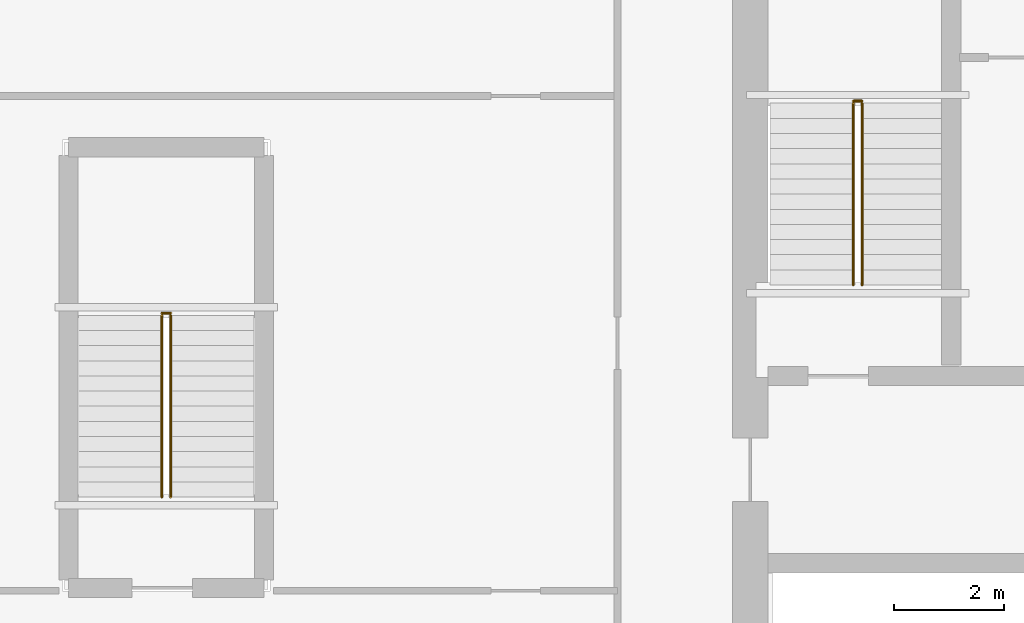
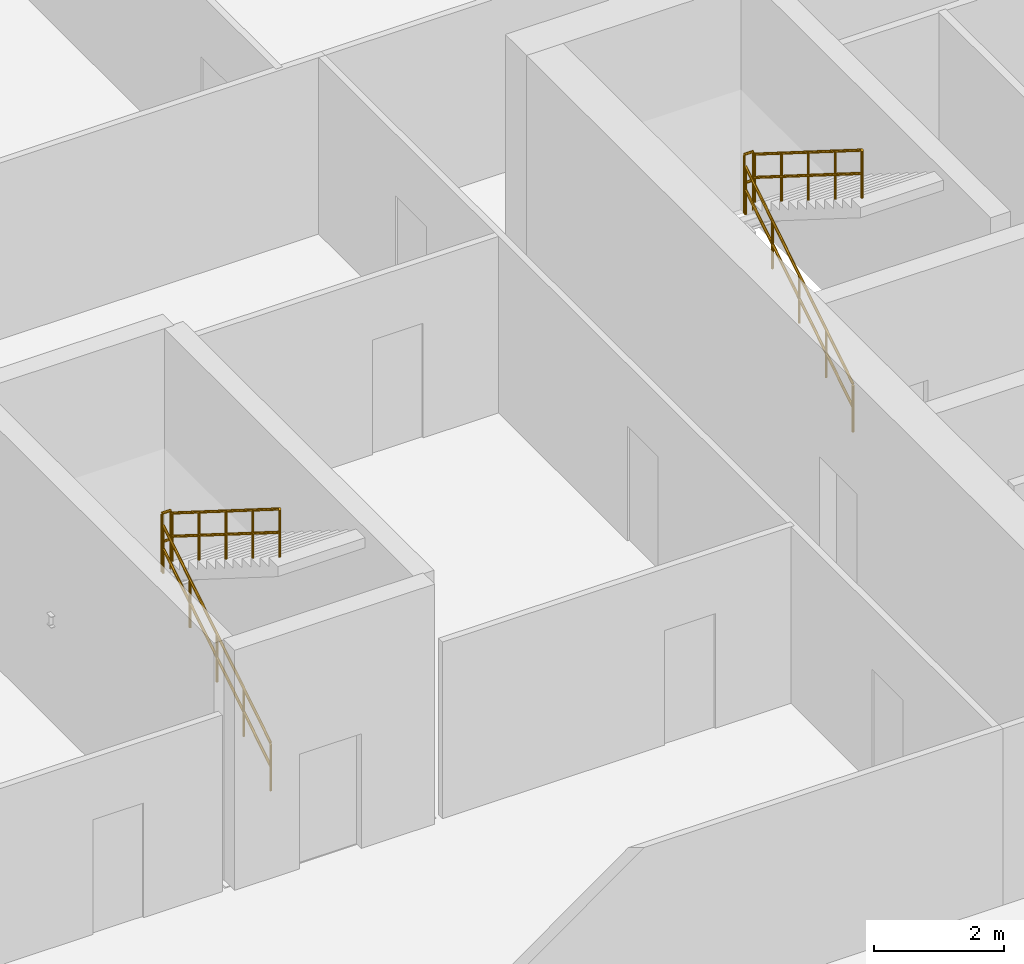
# One storey, part 29 of 31: 6 railings.
"""IFC4 building model written with IfcOpenShell, lengths in metres."""

from ifc_helpers import new_model, si_unit, direction, frame, origin, origin_2d, place, context, subcontext, project, spatial, circle, extrude, material, type_object, element, save


model = new_model("IFC4")

# Units and contexts
model_context = context("Model", 3, precision=1e-05, world=origin(), true_north=direction((0.0, 1.0)))
body_context = subcontext(model_context, "Body", "Model", "MODEL_VIEW")
ifc_project = project(units=[si_unit("LENGTHUNIT", "METRE"), si_unit("AREAUNIT", "SQUARE_METRE"), si_unit("VOLUMEUNIT", "CUBIC_METRE"), si_unit("PLANEANGLEUNIT", "RADIAN"), si_unit("MASSUNIT", "GRAM", prefix="KILO")], contexts=[model_context])

# Site, building, storey
site_placement = place(None, origin())
site = spatial("IfcSite", under=ifc_project, at=site_placement, CompositionType="ELEMENT")
building_placement = place(site_placement, origin())
building = spatial("IfcBuilding", under=site, at=building_placement, Name="Caelvoria Tower", CompositionType="ELEMENT")
storey_placement = place(building_placement, frame((0.0, 0.0, 9.5)))
storey = spatial("IfcBuildingStorey", under=building, at=storey_placement, Name="L02", CompositionType="ELEMENT", Elevation=9.5)

# Railings
ifc_material_1 = material(Name="Brushed Stainless Steel Tube", Category="steel")
railing_type_1 = type_object("IfcRailingType", Name="Stair Tubular Stainless Handrail 920", PredefinedType="HANDRAIL", material=ifc_material_1)
railing_1_placement = place(storey_placement, frame((38.8701171875, 33.449951171875, 0.173095703125)))
element("IfcRailing", 1, at=railing_1_placement, inside=storey, type_object=railing_type_1, Name="ST-01 Flight 1 Handrail L02", PredefinedType="HANDRAIL", context=body_context, shape_type="SweptSolid", body=[
    extrude(circle(Radius=0.02392578125, at=origin_2d()), frame((0.0, 0.0, 0.89599609375), z_axis=(0.0, 0.846337383501, 0.532647194011), x_axis=(-1.0, 0.0, 0.0)), (0.0, 0.0, 1.0), 3.899169921875),
    extrude(circle(Radius=0.02392578125, at=origin_2d()), frame((0.0, 0.0, 0.4599609375), z_axis=(0.0, 0.846337383501, 0.532647194011), x_axis=(-1.0, 0.0, 0.0)), (0.0, 0.0, 1.0), 3.899169921875),
    extrude(circle(Radius=0.02099609375, at=origin_2d()), origin(), (0.0, 0.0, 1.0), 0.871826171875),
    extrude(circle(Radius=0.02099609375, at=origin_2d()), frame((0.0, 0.824951171875, 0.519287109375)), (0.0, 0.0, 1.0), 0.871826171875),
    extrude(circle(Radius=0.02099609375, at=origin_2d()), frame((0.0, 1.64990234375, 1.03857421875)), (0.0, 0.0, 1.0), 0.871826171875),
    extrude(circle(Radius=0.02099609375, at=origin_2d()), frame((0.0, 2.47509765625, 1.5576171875)), (0.0, 0.0, 1.0), 0.871826171875),
    extrude(circle(Radius=0.02099609375, at=origin_2d()), frame((0.0, 3.300048828125, 2.076904296875)), (0.0, 0.0, 1.0), 0.871826171875),
])
railing_2_placement = place(storey_placement, frame((39.030029296875, 36.75, 2.423095703125)))
element("IfcRailing", 2, at=railing_2_placement, inside=storey, type_object=railing_type_1, Name="ST-01 Flight 2 Handrail L02", PredefinedType="HANDRAIL", context=body_context, shape_type="SweptSolid", body=[
    extrude(circle(Radius=0.02392578125, at=origin_2d()), frame((0.0, 0.0, 0.89599609375), z_axis=(0.0, -0.846337383501, 0.532647194011), x_axis=(1.0, 0.0, 0.0)), (0.0, 0.0, 1.0), 3.899169921875),
    extrude(circle(Radius=0.02392578125, at=origin_2d()), frame((0.0, 0.0, 0.4599609375), z_axis=(0.0, -0.846337383501, 0.532647194011), x_axis=(1.0, 0.0, 0.0)), (0.0, 0.0, 1.0), 3.899169921875),
    extrude(circle(Radius=0.02099609375, at=origin_2d()), origin(), (0.0, 0.0, 1.0), 0.871826171875),
    extrude(circle(Radius=0.02099609375, at=origin_2d()), frame((0.0, -0.824951171875, 0.519287109375)), (0.0, 0.0, 1.0), 0.871826171875),
    extrude(circle(Radius=0.02099609375, at=origin_2d()), frame((0.0, -1.64990234375, 1.03857421875)), (0.0, 0.0, 1.0), 0.871826171875),
    extrude(circle(Radius=0.02099609375, at=origin_2d()), frame((0.0, -2.47509765625, 1.5576171875)), (0.0, 0.0, 1.0), 0.871826171875),
    extrude(circle(Radius=0.02099609375, at=origin_2d()), frame((0.0, -3.300048828125, 2.076904296875)), (0.0, 0.0, 1.0), 0.871826171875),
])
railing_3_placement = place(storey_placement, frame((26.320068359375, 29.60009765625, 0.173095703125)))
element("IfcRailing", 3, at=railing_3_placement, inside=storey, type_object=railing_type_1, Name="ST-03 Flight 1 Handrail L02", PredefinedType="HANDRAIL", context=body_context, shape_type="SweptSolid", body=[
    extrude(circle(Radius=0.02392578125, at=origin_2d()), frame((0.0, 0.0, 0.89599609375), z_axis=(0.0, 0.846319618018, 0.532675421018), x_axis=(-1.0, 0.0, 0.0)), (0.0, 0.0, 1.0), 3.89892578125),
    extrude(circle(Radius=0.02392578125, at=origin_2d()), frame((0.0, 0.0, 0.4599609375), z_axis=(0.0, 0.846319618018, 0.532675421018), x_axis=(-1.0, 0.0, 0.0)), (0.0, 0.0, 1.0), 3.89892578125),
    extrude(circle(Radius=0.02099609375, at=origin_2d()), origin(), (0.0, 0.0, 1.0), 0.871826171875),
    extrude(circle(Radius=0.02099609375, at=origin_2d()), frame((0.0, 0.824951171875, 0.519287109375)), (0.0, 0.0, 1.0), 0.871826171875),
    extrude(circle(Radius=0.02099609375, at=origin_2d()), frame((0.0, 1.64990234375, 1.03857421875)), (0.0, 0.0, 1.0), 0.871826171875),
    extrude(circle(Radius=0.02099609375, at=origin_2d()), frame((0.0, 2.474853515625, 1.5576171875)), (0.0, 0.0, 1.0), 0.871826171875),
    extrude(circle(Radius=0.02099609375, at=origin_2d()), frame((0.0, 3.2998046875, 2.076904296875)), (0.0, 0.0, 1.0), 0.871826171875),
])
railing_4_placement = place(storey_placement, frame((26.47998046875, 32.89990234375, 2.423095703125)))
element("IfcRailing", 4, at=railing_4_placement, inside=storey, type_object=railing_type_1, Name="ST-03 Flight 2 Handrail L02", PredefinedType="HANDRAIL", context=body_context, shape_type="SweptSolid", body=[
    extrude(circle(Radius=0.02392578125, at=origin_2d()), frame((0.0, 0.0, 0.89599609375), z_axis=(0.0, -0.846319618018, 0.532675421018), x_axis=(1.0, 0.0, 0.0)), (0.0, 0.0, 1.0), 3.89892578125),
    extrude(circle(Radius=0.02392578125, at=origin_2d()), frame((0.0, 0.0, 0.4599609375), z_axis=(0.0, -0.846319618018, 0.532675421018), x_axis=(1.0, 0.0, 0.0)), (0.0, 0.0, 1.0), 3.89892578125),
    extrude(circle(Radius=0.02099609375, at=origin_2d()), origin(), (0.0, 0.0, 1.0), 0.871826171875),
    extrude(circle(Radius=0.02099609375, at=origin_2d()), frame((0.0, -0.824951171875, 0.519287109375)), (0.0, 0.0, 1.0), 0.871826171875),
    extrude(circle(Radius=0.02099609375, at=origin_2d()), frame((0.0, -1.64990234375, 1.03857421875)), (0.0, 0.0, 1.0), 0.871826171875),
    extrude(circle(Radius=0.02099609375, at=origin_2d()), frame((0.0, -2.474853515625, 1.5576171875)), (0.0, 0.0, 1.0), 0.871826171875),
    extrude(circle(Radius=0.02099609375, at=origin_2d()), frame((0.0, -3.2998046875, 2.076904296875)), (0.0, 0.0, 1.0), 0.871826171875),
])
ifc_material_2 = material(Name="Brushed Stainless Steel Guardrail", Category="steel")
railing_type_2 = type_object("IfcRailingType", Name="Stair Well and Ramp Guardrail 1120", PredefinedType="GUARDRAIL", material=ifc_material_2)
for number, where, name in (
    (5, (38.8701171875, 36.7900390625, 2.25), "ST-01 Half-Landing Well Guard L02"),
    (6, (26.320068359375, 32.93994140625, 2.25), "ST-03 Half-Landing Well Guard L02"),
):
    element("IfcRailing", number, at=place(storey_placement, frame(where)), inside=storey, type_object=railing_type_2, Name=name, PredefinedType="GUARDRAIL", context=body_context, shape_type="SweptSolid", body=[
        extrude(circle(Radius=0.02392578125, at=origin_2d()), frame((0.0, 0.0, 1.09619140625), z_axis=(1.0, 0.0, 0.0), x_axis=(0.0, 1.0, 0.0)), (0.0, 0.0, 1.0), 0.159912109375),
        extrude(circle(Radius=0.02392578125, at=origin_2d()), frame((0.0, 0.0, 0.56005859375), z_axis=(1.0, 0.0, 0.0), x_axis=(0.0, 1.0, 0.0)), (0.0, 0.0, 1.0), 0.159912109375),
        extrude(circle(Radius=0.02099609375, at=origin_2d()), origin(), (0.0, 0.0, 1.0), 1.072021484375),
        extrude(circle(Radius=0.02099609375, at=origin_2d()), frame((0.159912109375, 0.0, 0.0)), (0.0, 0.0, 1.0), 1.072021484375),
    ])

save(model, "model.ifc")
